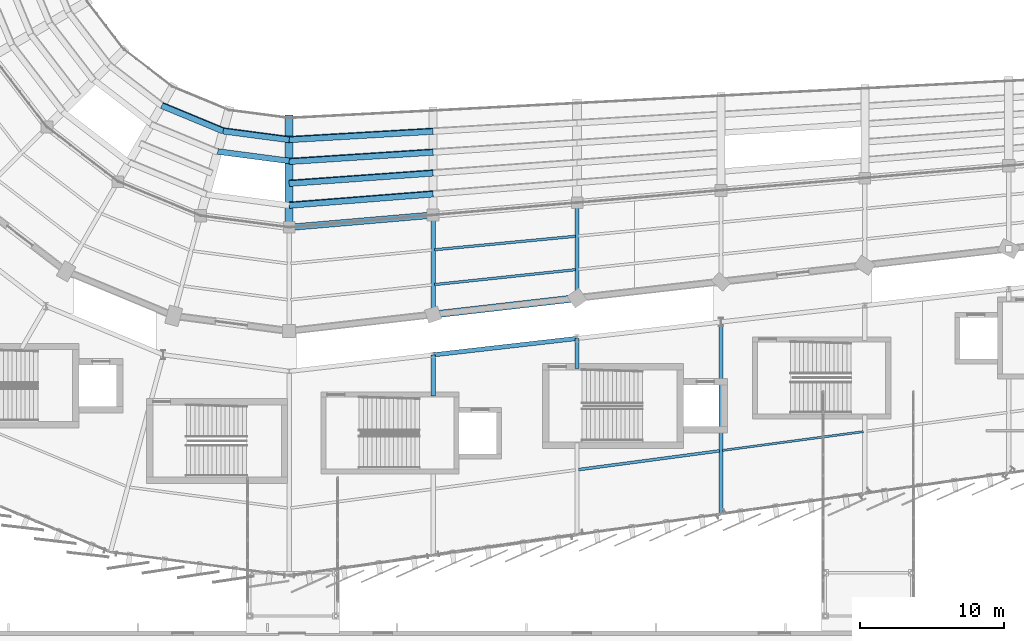
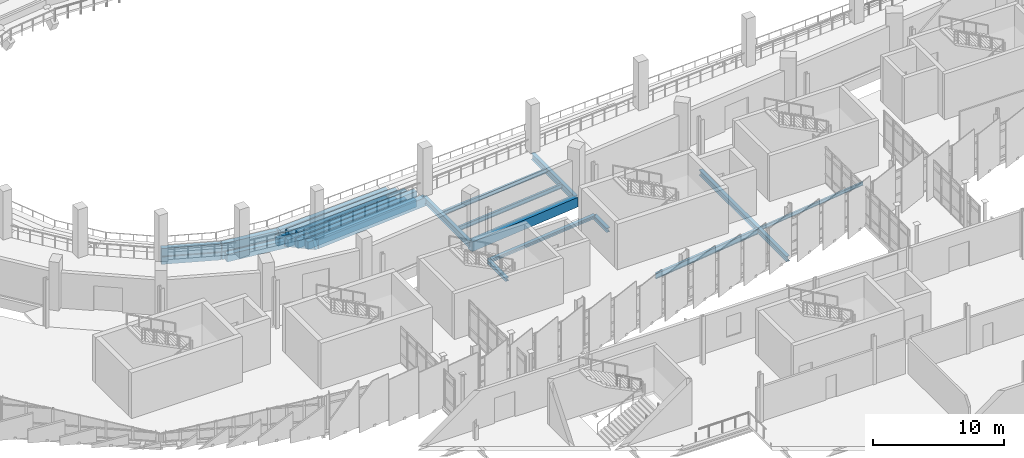
# One storey, part 41 of 134: 26 beams.
"""IFC4 building model written with IfcOpenShell, lengths in metres."""

from ifc_helpers import new_model, si_unit, direction, frame, origin, origin_2d, place, context, subcontext, project, spatial, rectangle, i_section, extrude, material, material_profile, profile_set, type_object, element, save


model = new_model("IFC4")

# Units and contexts
model_context = context("Model", 3, precision=1e-05, world=origin(), true_north=direction((0.0, 1.0)))
body_context = subcontext(model_context, "Body", "Model", "MODEL_VIEW")
ifc_project = project(units=[si_unit("LENGTHUNIT", "METRE"), si_unit("AREAUNIT", "SQUARE_METRE"), si_unit("VOLUMEUNIT", "CUBIC_METRE"), si_unit("PLANEANGLEUNIT", "RADIAN"), si_unit("MASSUNIT", "GRAM", prefix="KILO")], contexts=[model_context])

# Site, building, storey
site_placement = place(None, origin())
site = spatial("IfcSite", under=ifc_project, at=site_placement, CompositionType="ELEMENT")
building_placement = place(site_placement, origin())
building = spatial("IfcBuilding", under=site, at=building_placement, Name="Sohan Crest Arena", CompositionType="ELEMENT")
storey_placement = place(building_placement, frame((0.0, 0.0, 4.5)))
storey = spatial("IfcBuildingStorey", under=building, at=storey_placement, Name="L01", CompositionType="ELEMENT", Elevation=4.5)

# Beams
ifc_material_1 = material(Name="Steel S355", Category="steel")
ifc_material_profile_1 = material_profile(ifc_material_1, i_section(OverallWidth=0.14990234375, OverallDepth=0.300048828125, WebThickness=0.007080078125, FlangeThickness=0.0107421875, at=origin_2d()), Name="IPE 300")
ifc_profile_set_1 = profile_set([ifc_material_profile_1], Name="Steel S355")
beam_type_1 = type_object("IfcBeamType", Name="STR-BM-B01", PredefinedType="JOIST", material=ifc_profile_set_1)
beam_1_placement = place(storey_placement, frame((128.10888671875, 38.7041015625, -0.425048828125), z_axis=(0.991232437337, 0.132129690721, 0.0), x_axis=(-0.132129690721, 0.991232437337, 0.0)))
element("IfcBeam", 1, at=beam_1_placement, inside=storey, type_object=beam_type_1, Name="Structural beam J-L01-1156", PredefinedType="JOIST", context=body_context, shape_type="SweptSolid", body=[
    extrude(i_section(OverallWidth=0.14990234375, OverallDepth=0.300048828125, WebThickness=0.007080078125, FlangeThickness=0.0107421875, at=origin_2d()), origin(), (0.0, 0.0, 1.0), 9.86865234375),
])
ifc_material_profile_2 = material_profile(ifc_material_1, i_section(OverallWidth=0.179931640625, OverallDepth=0.39990234375, WebThickness=0.008544921875, FlangeThickness=0.013427734375, at=origin_2d()), Name="IPE 400")
ifc_profile_set_2 = profile_set([ifc_material_profile_2], Name="Steel S355")
beam_type_2 = type_object("IfcBeamType", Name="STR-BM-B03", PredefinedType="JOIST", material=ifc_profile_set_2)
beam_2_placement = place(storey_placement, frame((108.10888671875, 52.64697265625, -0.449951171875), z_axis=(0.995443739336, 0.095350730547, 0.0), x_axis=(-0.095350730547, 0.995443739336, 0.0)))
element("IfcBeam", 2, at=beam_2_placement, inside=storey, type_object=beam_type_2, Name="Structural beam J-L01-0353", PredefinedType="JOIST", context=body_context, shape_type="SweptSolid", body=[
    extrude(i_section(OverallWidth=0.179931640625, OverallDepth=0.39990234375, WebThickness=0.008544921875, FlangeThickness=0.013427734375, at=origin_2d()), origin(), (0.0, 0.0, 1.0), 9.826904296875),
])
beam_3_placement = place(storey_placement, frame((108.10888671875, 50.22900390625, -0.449951171875), z_axis=(0.994470991784, 0.105011649352, 0.0), x_axis=(-0.105011649352, 0.994470991784, 0.0)))
element("IfcBeam", 3, at=beam_3_placement, inside=storey, type_object=beam_type_2, Name="Structural beam J-L01-0354", PredefinedType="JOIST", context=body_context, shape_type="SweptSolid", body=[
    extrude(i_section(OverallWidth=0.179931640625, OverallDepth=0.39990234375, WebThickness=0.008544921875, FlangeThickness=0.013427734375, at=origin_2d()), origin(), (0.0, 0.0, 1.0), 9.836669921875),
])
ifc_material_profile_3 = material_profile(ifc_material_1, i_section(OverallWidth=0.199951171875, OverallDepth=0.5, WebThickness=0.01025390625, FlangeThickness=0.01611328125, at=origin_2d()), Name="IPE 500")
ifc_profile_set_3 = profile_set([ifc_material_profile_3], Name="Steel S355")
beam_type_3 = type_object("IfcBeamType", Name="STR-BM-B05", PredefinedType="JOIST", material=ifc_profile_set_3)
beam_4_placement = place(storey_placement, frame((118.10888671875, 37.3701171875, -0.52490234375), z_axis=(0.991232437337, 0.132129690721, 0.0), x_axis=(-0.132129690721, 0.991232437337, 0.0)))
element("IfcBeam", 4, at=beam_4_placement, inside=storey, type_object=beam_type_3, Name="Structural beam J-L01-1152", PredefinedType="JOIST", context=body_context, shape_type="SweptSolid", body=[
    extrude(i_section(OverallWidth=0.199951171875, OverallDepth=0.5, WebThickness=0.01025390625, FlangeThickness=0.01611328125, at=origin_2d()), origin(), (0.0, 0.0, 1.0), 9.86865234375),
])
ifc_material_profile_4 = material_profile(ifc_material_1, i_section(OverallWidth=0.300048828125, OverallDepth=0.590087890625, WebThickness=0.012939453125, FlangeThickness=0.02490234375, at=origin_2d()), Name="HEA 600")
ifc_profile_set_4 = profile_set([ifc_material_profile_4], Name="Steel S355")
beam_type_4 = type_object("IfcBeamType", Name="STR-BM-B11", PredefinedType="BEAM", material=ifc_profile_set_4)
beam_5_placement = place(storey_placement, frame((108.0, 55.056884765625, -0.544921875), z_axis=(0.0, -1.0, 0.0), x_axis=(1.0, 0.0, 0.0)))
element("IfcBeam", 5, at=beam_5_placement, inside=storey, type_object=beam_type_4, Name="Structural beam G-L01-0352", PredefinedType="BEAM", context=body_context, shape_type="SweptSolid", body=[
    extrude(i_section(OverallWidth=0.300048828125, OverallDepth=0.590087890625, WebThickness=0.012939453125, FlangeThickness=0.02490234375, at=origin_2d()), origin(), (0.0, 0.0, 1.0), 6.913818359375),
])
beam_6_placement = place(storey_placement, frame((118.0, 55.9140625, -0.544921875), z_axis=(0.0, -1.0, 0.0), x_axis=(1.0, 0.0, 0.0)))
element("IfcBeam", 6, at=beam_6_placement, inside=storey, type_object=beam_type_4, Name="Structural beam G-L01-0374", PredefinedType="BEAM", context=body_context, shape_type="SweptSolid", body=[
    extrude(i_section(OverallWidth=0.300048828125, OverallDepth=0.590087890625, WebThickness=0.012939453125, FlangeThickness=0.02490234375, at=origin_2d()), origin(), (0.0, 0.0, 1.0), 6.628173828125),
])
ifc_material_profile_5 = material_profile(ifc_material_1, i_section(OverallWidth=0.300048828125, OverallDepth=0.300048828125, WebThickness=0.010986328125, FlangeThickness=0.01904296875, at=origin_2d()), Name="HEB 300")
ifc_profile_set_5 = profile_set([ifc_material_profile_5], Name="Steel S355")
beam_type_5 = type_object("IfcBeamType", Name="STR-BM-B12", PredefinedType="BEAM", material=ifc_profile_set_5)
beam_7_placement = place(storey_placement, frame((108.0, 45.343017578125, -0.425048828125), z_axis=(0.0, -1.0, 0.0), x_axis=(1.0, 0.0, 0.0)))
element("IfcBeam", 7, at=beam_7_placement, inside=storey, type_object=beam_type_5, Name="Structural beam G-L01-1143", PredefinedType="BEAM", context=body_context, shape_type="SweptSolid", body=[
    extrude(i_section(OverallWidth=0.300048828125, OverallDepth=0.300048828125, WebThickness=0.010986328125, FlangeThickness=0.01904296875, at=origin_2d()), origin(), (0.0, 0.0, 1.0), 2.863037109375),
])
beam_8_placement = place(storey_placement, frame((108.0, 45.343017578125, -0.425048828125), z_axis=(0.99353032697, 0.113567114035, 0.0), x_axis=(-0.113567114035, 0.99353032697, 0.0)))
element("IfcBeam", 8, at=beam_8_placement, inside=storey, type_object=beam_type_5, Name="Structural beam G-L01-1145", PredefinedType="BEAM", context=body_context, shape_type="SweptSolid", body=[
    extrude(i_section(OverallWidth=0.300048828125, OverallDepth=0.300048828125, WebThickness=0.010986328125, FlangeThickness=0.01904296875, at=origin_2d()), origin(), (0.0, 0.0, 1.0), 10.065185546875),
])
ifc_material_profile_6 = material_profile(ifc_material_1, i_section(OverallWidth=0.300048828125, OverallDepth=0.39990234375, WebThickness=0.013427734375, FlangeThickness=0.02392578125, at=origin_2d()), Name="HEB 400")
ifc_profile_set_6 = profile_set([ifc_material_profile_6], Name="Steel S355")
beam_type_6 = type_object("IfcBeamType", Name="STR-BM-B13", PredefinedType="BEAM", material=ifc_profile_set_6)
beam_9_placement = place(storey_placement, frame((118.0, 46.486083984375, -0.47509765625), z_axis=(0.0, -1.0, 0.0), x_axis=(1.0, 0.0, 0.0)))
element("IfcBeam", 9, at=beam_9_placement, inside=storey, type_object=beam_type_6, Name="Structural beam G-L01-1148", PredefinedType="BEAM", context=body_context, shape_type="SweptSolid", body=[
    extrude(i_section(OverallWidth=0.300048828125, OverallDepth=0.39990234375, WebThickness=0.013427734375, FlangeThickness=0.02392578125, at=origin_2d()), origin(), (0.0, 0.0, 1.0), 2.106201171875),
])
ifc_material_profile_7 = material_profile(ifc_material_1, i_section(OverallWidth=0.300048828125, OverallDepth=0.5, WebThickness=0.014404296875, FlangeThickness=0.028076171875, at=origin_2d()), Name="HEB 500")
ifc_profile_set_7 = profile_set([ifc_material_profile_7], Name="Steel S355")
beam_type_7 = type_object("IfcBeamType", Name="STR-BM-B14", PredefinedType="BEAM", material=ifc_profile_set_7)
beam_10_placement = place(storey_placement, frame((128.0, 47.62890625, -0.52490234375), z_axis=(0.0, -1.0, 0.0), x_axis=(1.0, 0.0, 0.0)))
element("IfcBeam", 10, at=beam_10_placement, inside=storey, type_object=beam_type_7, Name="Structural beam G-L01-1153", PredefinedType="BEAM", context=body_context, shape_type="SweptSolid", body=[
    extrude(i_section(OverallWidth=0.300048828125, OverallDepth=0.5, WebThickness=0.014404296875, FlangeThickness=0.028076171875, at=origin_2d()), origin(), (0.0, 0.0, 1.0), 13.343017578125),
])
ifc_material_2 = material(Name="Precast concrete C50/60", Category="concrete")
ifc_material_profile_8 = material_profile(ifc_material_2, rectangle(XDim=0.550048828125, YDim=0.89990234375, at=origin_2d()), Name="RAKER 550x900")
ifc_profile_set_8 = profile_set([ifc_material_profile_8], Name="Precast concrete C50/60")
beam_type_8 = type_object("IfcBeamType", Name="STR-BM-RK01", PredefinedType="USERDEFINED", material=ifc_profile_set_8)
beam_11_placement = place(storey_placement, frame((98.0, 61.800048828125, -4.75), z_axis=(0.0, -0.880096810018, 0.4747942765), x_axis=(1.0, 0.0, 0.0)))
element("IfcBeam", 11, at=beam_11_placement, inside=storey, type_object=beam_type_8, Name="Structural beam RK-L01-0847", ObjectType="RAKER", PredefinedType="USERDEFINED", context=body_context, shape_type="SweptSolid", body=[
    extrude(rectangle(XDim=0.550048828125, YDim=0.89990234375, at=origin_2d()), origin(), (0.0, 0.0, 1.0), 8.635498046875),
])
ifc_material_3 = material(Name="Concrete C40/50", Category="concrete")
ifc_material_profile_9 = material_profile(ifc_material_3, rectangle(XDim=0.39990234375, YDim=0.699951171875, at=origin_2d()), Name="RC-BM 400x700")
ifc_profile_set_9 = profile_set([ifc_material_profile_9], Name="Concrete C40/50")
beam_type_9 = type_object("IfcBeamType", Name="STR-BM-TB01", PredefinedType="BEAM", material=ifc_profile_set_9)
beam_12_placement = place(storey_placement, frame((89.169921875, 62.7060546875, -4.220947265625), z_axis=(0.923972303397, -0.382459386806, 0.0), x_axis=(0.382459386806, 0.923972303397, 0.0)))
element("IfcBeam", 12, at=beam_12_placement, inside=storey, type_object=beam_type_9, Name="Tier rear stringer beam TSB-L083B", PredefinedType="BEAM", context=body_context, shape_type="SweptSolid", body=[
    extrude(rectangle(XDim=0.39990234375, YDim=0.699951171875, at=origin_2d()), origin(), (0.0, 0.0, 1.0), 4.609375),
])
beam_13_placement = place(storey_placement, frame((89.139892578125, 62.654052734375, -3.40087890625), z_axis=(0.923910070219, -0.382609699496, 0.0), x_axis=(0.382609699496, 0.923910070219, 0.0)))
element("IfcBeam", 13, at=beam_13_placement, inside=storey, type_object=beam_type_9, Name="Tier front stringer beam TSB-L084A", PredefinedType="BEAM", context=body_context, shape_type="SweptSolid", body=[
    extrude(rectangle(XDim=0.39990234375, YDim=0.699951171875, at=origin_2d()), origin(), (0.0, 0.0, 1.0), 4.626220703125),
])
beam_14_placement = place(storey_placement, frame((93.428955078125, 60.943115234375, -4.220947265625), z_axis=(0.991437525542, -0.130581901297, 0.0), x_axis=(0.130581901297, 0.991437525542, 0.0)))
element("IfcBeam", 14, at=beam_14_placement, inside=storey, type_object=beam_type_9, Name="Tier rear stringer beam TSB-L093B", PredefinedType="BEAM", context=body_context, shape_type="SweptSolid", body=[
    extrude(rectangle(XDim=0.39990234375, YDim=0.699951171875, at=origin_2d()), origin(), (0.0, 0.0, 1.0), 4.610595703125),
])
beam_15_placement = place(storey_placement, frame((93.4140625, 60.884033203125, -3.40087890625), z_axis=(0.991437759848, -0.130580122331, 0.0), x_axis=(0.130580122331, 0.991437759848, 0.0)))
element("IfcBeam", 15, at=beam_15_placement, inside=storey, type_object=beam_type_9, Name="Tier front stringer beam TSB-L094A", PredefinedType="BEAM", context=body_context, shape_type="SweptSolid", body=[
    extrude(rectangle(XDim=0.39990234375, YDim=0.699951171875, at=origin_2d()), origin(), (0.0, 0.0, 1.0), 4.62548828125),
])
beam_16_placement = place(storey_placement, frame((93.035888671875, 59.47412109375, -3.40087890625), z_axis=(0.99145678486, -0.130435592362, 0.0), x_axis=(0.130435592362, 0.99145678486, 0.0)))
element("IfcBeam", 16, at=beam_16_placement, inside=storey, type_object=beam_type_9, Name="Tier rear stringer beam TSB-L094B", PredefinedType="BEAM", context=body_context, shape_type="SweptSolid", body=[
    extrude(rectangle(XDim=0.39990234375, YDim=0.699951171875, at=origin_2d()), origin(), (0.0, 0.0, 1.0), 5.0068359375),
])
beam_17_placement = place(storey_placement, frame((98.0, 60.341064453125, -4.220947265625), z_axis=(0.998323189741, 0.05788617128, 0.0), x_axis=(-0.05788617128, 0.998323189741, 0.0)))
element("IfcBeam", 17, at=beam_17_placement, inside=storey, type_object=beam_type_9, Name="Tier rear stringer beam TSB-L097B", PredefinedType="BEAM", context=body_context, shape_type="SweptSolid", body=[
    extrude(rectangle(XDim=0.39990234375, YDim=0.699951171875, at=origin_2d()), origin(), (0.0, 0.0, 1.0), 10.016845703125),
])
beam_18_placement = place(storey_placement, frame((98.0, 60.280029296875, -3.40087890625), z_axis=(0.99830482962, 0.058201951492, 0.0), x_axis=(-0.058201951492, 0.99830482962, 0.0)))
element("IfcBeam", 18, at=beam_18_placement, inside=storey, type_object=beam_type_9, Name="Tier front stringer beam TSB-L098A", PredefinedType="BEAM", context=body_context, shape_type="SweptSolid", body=[
    extrude(rectangle(XDim=0.39990234375, YDim=0.699951171875, at=origin_2d()), origin(), (0.0, 0.0, 1.0), 10.01708984375),
])
beam_19_placement = place(storey_placement, frame((98.0, 58.821044921875, -3.40087890625), z_axis=(0.997907395912, 0.064659331757, 0.0), x_axis=(-0.064659331757, 0.997907395912, 0.0)))
element("IfcBeam", 19, at=beam_19_placement, inside=storey, type_object=beam_type_9, Name="Tier rear stringer beam TSB-L098B", PredefinedType="BEAM", context=body_context, shape_type="SweptSolid", body=[
    extrude(rectangle(XDim=0.39990234375, YDim=0.699951171875, at=origin_2d()), origin(), (0.0, 0.0, 1.0), 10.02099609375),
])
beam_20_placement = place(storey_placement, frame((98.0, 58.760009765625, -2.5810546875), z_axis=(0.997888489838, 0.064950456883, 0.0), x_axis=(-0.064950456883, 0.997888489838, 0.0)))
element("IfcBeam", 20, at=beam_20_placement, inside=storey, type_object=beam_type_9, Name="Tier front stringer beam TSB-L099A", PredefinedType="BEAM", context=body_context, shape_type="SweptSolid", body=[
    extrude(rectangle(XDim=0.39990234375, YDim=0.699951171875, at=origin_2d()), origin(), (0.0, 0.0, 1.0), 10.021240234375),
])
beam_21_placement = place(storey_placement, frame((98.0, 57.301025390625, -2.5810546875), z_axis=(0.997439131676, 0.0715204768, 0.0), x_axis=(-0.0715204768, 0.997439131676, 0.0)))
element("IfcBeam", 21, at=beam_21_placement, inside=storey, type_object=beam_type_9, Name="Tier rear stringer beam TSB-L099B", PredefinedType="BEAM", context=body_context, shape_type="SweptSolid", body=[
    extrude(rectangle(XDim=0.39990234375, YDim=0.699951171875, at=origin_2d()), origin(), (0.0, 0.0, 1.0), 10.025634765625),
])
beam_22_placement = place(storey_placement, frame((98.0, 57.239990234375, -1.760986328125), z_axis=(0.997418243661, 0.07181119142, 0.0), x_axis=(-0.07181119142, 0.997418243661, 0.0)))
element("IfcBeam", 22, at=beam_22_placement, inside=storey, type_object=beam_type_9, Name="Tier front stringer beam TSB-L100A", PredefinedType="BEAM", context=body_context, shape_type="SweptSolid", body=[
    extrude(rectangle(XDim=0.39990234375, YDim=0.699951171875, at=origin_2d()), origin(), (0.0, 0.0, 1.0), 10.02587890625),
])
beam_23_placement = place(storey_placement, frame((98.0, 55.781005859375, -1.760986328125), z_axis=(0.996933725839, 0.078250535366, 0.0), x_axis=(-0.078250535366, 0.996933725839, 0.0)))
element("IfcBeam", 23, at=beam_23_placement, inside=storey, type_object=beam_type_9, Name="Tier rear stringer beam TSB-L100B", PredefinedType="BEAM", context=body_context, shape_type="SweptSolid", body=[
    extrude(rectangle(XDim=0.39990234375, YDim=0.699951171875, at=origin_2d()), origin(), (0.0, 0.0, 1.0), 10.03076171875),
])
beam_24_placement = place(storey_placement, frame((98.0, 55.719970703125, -0.94091796875), z_axis=(0.996908993551, 0.078564995878, 0.0), x_axis=(-0.078564995878, 0.996908993551, 0.0)))
element("IfcBeam", 24, at=beam_24_placement, inside=storey, type_object=beam_type_9, Name="Tier front stringer beam TSB-L101A", PredefinedType="BEAM", context=body_context, shape_type="SweptSolid", body=[
    extrude(rectangle(XDim=0.39990234375, YDim=0.699951171875, at=origin_2d()), origin(), (0.0, 0.0, 1.0), 10.031005859375),
])
ifc_material_profile_10 = material_profile(ifc_material_3, rectangle(XDim=0.449951171875, YDim=0.800048828125, at=origin_2d()), Name="RC-BM 450x800")
ifc_profile_set_10 = profile_set([ifc_material_profile_10], Name="Concrete C40/50")
beam_type_10 = type_object("IfcBeamType", Name="STR-BM-TB02", PredefinedType="BEAM", material=ifc_profile_set_10)
beam_25_placement = place(storey_placement, frame((98.0, 54.199951171875, -0.64990234375), z_axis=(0.996348422929, 0.085380443469, 0.0), x_axis=(-0.085380443469, 0.996348422929, 0.0)))
element("IfcBeam", 25, at=beam_25_placement, inside=storey, type_object=beam_type_10, Name="Structural beam TB-L01-0328", PredefinedType="BEAM", context=body_context, shape_type="SweptSolid", body=[
    extrude(rectangle(XDim=0.449951171875, YDim=0.800048828125, at=origin_2d()), origin(), (0.0, 0.0, 1.0), 10.03662109375),
])
ifc_material_profile_11 = material_profile(ifc_material_3, rectangle(XDim=0.5, YDim=0.89990234375, at=origin_2d()), Name="RC-BM 500x900")
ifc_profile_set_11 = profile_set([ifc_material_profile_11], Name="Concrete C40/50")
beam_type_11 = type_object("IfcBeamType", Name="STR-BM-TB03", PredefinedType="BEAM", material=ifc_profile_set_11)
beam_26_placement = place(storey_placement, frame((108.0, 48.14306640625, -0.699951171875), z_axis=(0.993533063564, 0.113543170668, 0.0), x_axis=(-0.113543170668, 0.993533063564, 0.0)))
element("IfcBeam", 26, at=beam_26_placement, inside=storey, type_object=beam_type_11, Name="Structural beam TB-L01-0351", PredefinedType="BEAM", context=body_context, shape_type="SweptSolid", body=[
    extrude(rectangle(XDim=0.5, YDim=0.89990234375, at=origin_2d()), origin(), (0.0, 0.0, 1.0), 10.065185546875),
])

save(model, "model.ifc")
